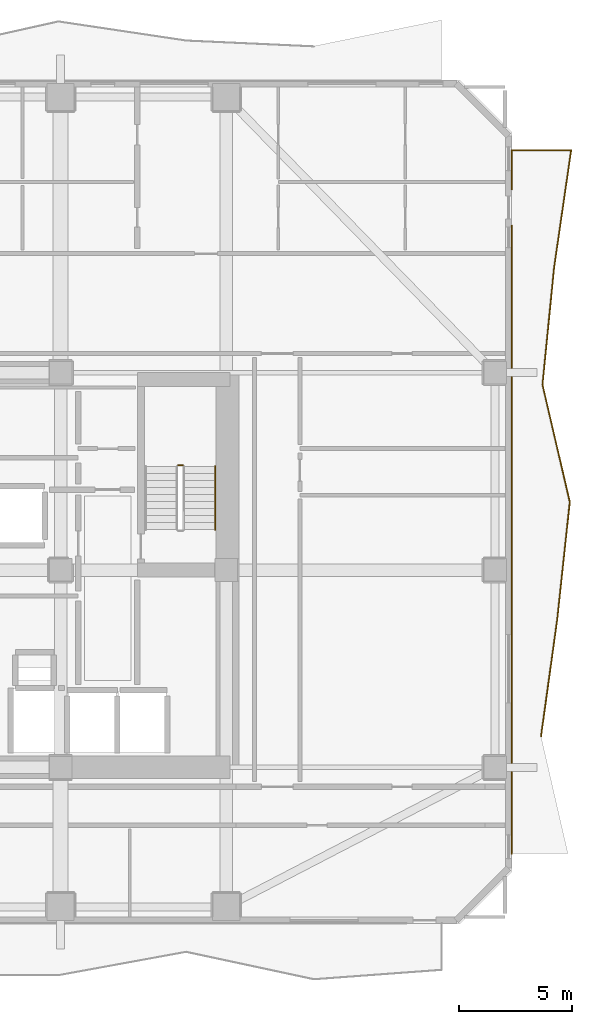
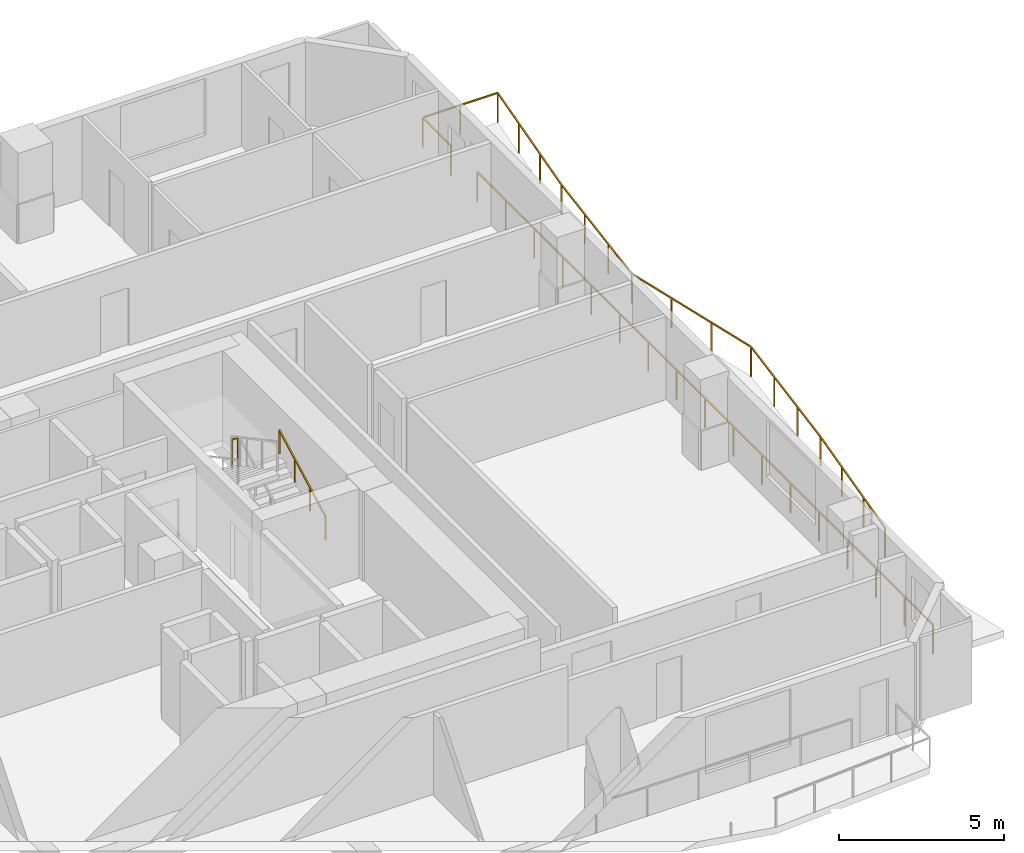
# One storey, part 10 of 11: 4 railings.
"""IFC4 building model written with IfcOpenShell, lengths in metres."""

import ifcopenshell
import ifcopenshell.guid

model = None  # the IFC model being written
_history = None  # IfcOwnerHistory: only IFC2X3 demands one
_inside = {}  # id of a spatial element -> (the spatial element, [elements in it])
_under = {}  # id of a project, library or spatial element -> (it, [spatial elements below it])
_declared = {}  # id of a project -> (the project, [libraries it declares])
_typed = {}  # id of a type object -> (the type object, [elements of that type])
_made_of = {}  # id of a material, layer set ... -> (it, [elements and type objects made of it])


def new_model(schema):
    """Start an empty IFC model of exactly this schema.

    Asked for "IFC4X3", IfcOpenShell would pick the latest addendum, in which some entities
    have other attributes; the version numbers below select the first issue.
    IFC2X3 requires an IfcOwnerHistory on every rooted entity: one is made here for all.
    """
    global model, _history
    if schema == "IFC4X3":
        model = ifcopenshell.file(schema_version=(4, 3, 0, 0))
    else:
        model = ifcopenshell.file(schema=schema)
    _inside.clear()
    _under.clear()
    _declared.clear()
    _typed.clear()
    _made_of.clear()
    _history = None
    if model.schema == "IFC2X3":
        org = make("IfcOrganization", Name="unknown")
        user = make(
            "IfcPersonAndOrganization",
            ThePerson=make("IfcPerson", FamilyName="unknown"),
            TheOrganization=org,
        )
        app = make(
            "IfcApplication",
            ApplicationDeveloper=org,
            Version="unknown",
            ApplicationFullName="unknown",
            ApplicationIdentifier="unknown",
        )
        _history = make(
            "IfcOwnerHistory",
            OwningUser=user,
            OwningApplication=app,
            ChangeAction="ADDED",
            CreationDate=0,
        )
    return model


def make(cls, **values):
    """One entity of the class cls with the attributes given. An attribute that is None is left unset."""
    return model.create_entity(
        cls, **{name: value for name, value in values.items() if value is not None}
    )


def rooted(cls, **values):
    """An entity with a GlobalId (a new one), such as an element, a storey or a relation."""
    return make(cls, GlobalId=ifcopenshell.guid.new(), OwnerHistory=_history, **values)


def si_unit(unit_type, name, prefix=None):
    """IfcSIUnit, for example si_unit("LENGTHUNIT", "METRE", prefix="MILLI")."""
    return make("IfcSIUnit", UnitType=unit_type, Prefix=prefix, Name=name)


def assignment(units):
    """IfcUnitAssignment: the units of a project."""
    return None if units is None else make("IfcUnitAssignment", Units=units)


def point(xyz):
    """IfcCartesianPoint."""
    return None if xyz is None else make("IfcCartesianPoint", Coordinates=xyz)


def direction(xyz):
    """IfcDirection."""
    return None if xyz is None else make("IfcDirection", DirectionRatios=xyz)


def frame(location, z_axis=None, x_axis=None):
    """IfcAxis2Placement3D, a coordinate frame: its origin and axes. An axis left out is left unset."""
    return make(
        "IfcAxis2Placement3D",
        Location=point(location),
        Axis=direction(z_axis),
        RefDirection=direction(x_axis),
    )


def frame_2d(location, x_axis=None):
    """IfcAxis2Placement2D, a coordinate frame in the plane: its origin and x axis."""
    return make(
        "IfcAxis2Placement2D", Location=point(location), RefDirection=direction(x_axis)
    )


def origin():
    """The frame at (0, 0, 0) with its axes left unset."""
    return frame((0.0, 0.0, 0.0))


def origin_2d():
    """The frame at (0, 0) in the plane with its x axis left unset."""
    return frame_2d((0.0, 0.0))


def place(relative_to, where):
    """IfcLocalPlacement: puts the frame where relative to a parent placement (None: the world)."""
    return make(
        "IfcLocalPlacement", PlacementRelTo=relative_to, RelativePlacement=where
    )


def context(
    kind, dimensions, precision=None, world=None, true_north=None, identifier=None
):
    """IfcGeometricRepresentationContext, for example the 3D "Model" context."""
    return make(
        "IfcGeometricRepresentationContext",
        ContextIdentifier=identifier,
        ContextType=kind,
        CoordinateSpaceDimension=dimensions,
        Precision=precision,
        WorldCoordinateSystem=world,
        TrueNorth=true_north,
    )


def subcontext(parent, identifier, kind, view, scale=None):
    """IfcGeometricRepresentationSubContext, for example "Body" below "Model"."""
    return make(
        "IfcGeometricRepresentationSubContext",
        ContextIdentifier=identifier,
        ContextType=kind,
        ParentContext=parent,
        TargetScale=scale,
        TargetView=view,
    )


def project(units=None, contexts=None):
    """IfcProject with its units and contexts."""
    return rooted(
        "IfcProject",
        Name="project",
        RepresentationContexts=contexts,
        UnitsInContext=assignment(units),
    )


def spatial(cls, under=None, at=None, **own):
    """A site, building, storey or space (cls), placed at a placement, below another one or the project."""
    s = rooted(cls, ObjectPlacement=at, **own)
    if under is not None:
        _under.setdefault(under.id(), (under, []))[1].append(s)
    return s


def profile(cls, at=None, kind="AREA", **sizes):
    """A parametric profile (cls). Its sizes go by their IFC names, for example OverallWidth=200.0."""
    return make(cls, ProfileType=kind, Position=at, **sizes)


def rectangle(**sizes):
    """IfcRectangleProfileDef."""
    return profile("IfcRectangleProfileDef", **sizes)


def extrude(swept, where, along, depth):
    """IfcExtrudedAreaSolid: the profile swept, set in the frame where, extruded along a direction by depth."""
    return make(
        "IfcExtrudedAreaSolid",
        SweptArea=swept,
        Position=where,
        ExtrudedDirection=direction(along),
        Depth=depth,
    )


def shape(context_of_items, identifier, shape_type, items):
    """IfcShapeRepresentation: the items that make up one representation, for example the "Body"."""
    return make(
        "IfcShapeRepresentation",
        ContextOfItems=context_of_items,
        RepresentationIdentifier=identifier,
        RepresentationType=shape_type,
        Items=items,
    )


def material(Name=None, Category=None):
    """IfcMaterial."""
    return make("IfcMaterial", Name=Name, Category=Category)


def made_of(thing, what):
    """Note that an element or type object is made of a material, layer set ...; save() writes the relation."""
    if what is not None:
        _made_of.setdefault(what.id(), (what, []))[1].append(thing)
    return thing


def type_object(cls, material=None, **own):
    """A type object (cls), such as IfcWallType, which elements share."""
    return made_of(rooted(cls, **own), material)


def element(
    cls,
    number,
    at=None,
    inside=None,
    cuts=None,
    type_object=None,
    material=None,
    context=None,
    identifier="Body",
    shape_type=None,
    held_by="IfcProductDefinitionShape",
    body=None,
    shapes=None,
    **own,
):
    """One element of the class cls, such as IfcWall. Its Tag is "e" and its number.

    at: its placement. inside: the storey or other place that contains it. cuts: it is an
    opening in that element (IfcRelVoidsElement). A single representation is given by context,
    identifier, shape_type and body (its items); several are given by shapes. held_by: the class
    of the entity that holds the representations. save() writes the other relations.
    """
    e = rooted(cls, Tag="e%d" % number, ObjectPlacement=at, **own)
    if body is not None:
        shapes = [shape(context, identifier, shape_type, body)]
    if shapes is not None:
        e.Representation = make(held_by, Representations=shapes)
    if inside is not None:
        _inside.setdefault(inside.id(), (inside, []))[1].append(e)
    if cuts is not None:
        rooted(
            "IfcRelVoidsElement", RelatingBuildingElement=cuts, RelatedOpeningElement=e
        )
    if type_object is not None:
        _typed.setdefault(type_object.id(), (type_object, []))[1].append(e)
    return made_of(e, material)


def aggregate(whole, parts):
    """IfcRelAggregates: a whole, such as a stair, and the parts it consists of."""
    return rooted("IfcRelAggregates", RelatingObject=whole, RelatedObjects=parts)


def save(model, path):
    """Write the relations noted so far, then the file.

    IfcRelAggregates (storeys below a building ...), IfcRelContainedInSpatialStructure (elements
    in a storey), IfcRelDefinesByType, IfcRelAssociatesMaterial and IfcRelDeclares: one each for
    every whole, place, type object, material and project.
    """
    for whole, parts in _under.values():
        aggregate(whole, parts)
    for where, things in _inside.values():
        rooted(
            "IfcRelContainedInSpatialStructure",
            RelatedElements=things,
            RelatingStructure=where,
        )
    for kind, things in _typed.values():
        rooted("IfcRelDefinesByType", RelatedObjects=things, RelatingType=kind)
    for what, things in _made_of.values():
        rooted("IfcRelAssociatesMaterial", RelatedObjects=things, RelatingMaterial=what)
    for by, libraries in _declared.values():
        rooted("IfcRelDeclares", RelatingContext=by, RelatedDefinitions=libraries)
    model.write(path)


model = new_model("IFC4")

# Units and contexts
model_context = context("Model", 3, precision=1e-05, world=origin(), true_north=direction((0.0, 1.0)))
body_context = subcontext(model_context, "Body", "Model", "MODEL_VIEW")
ifc_project = project(units=[si_unit("LENGTHUNIT", "METRE"), si_unit("AREAUNIT", "SQUARE_METRE"), si_unit("VOLUMEUNIT", "CUBIC_METRE"), si_unit("PLANEANGLEUNIT", "RADIAN"), si_unit("MASSUNIT", "GRAM", prefix="KILO")], contexts=[model_context])

# Site, building, storey
site_placement = place(None, origin())
site = spatial("IfcSite", under=ifc_project, at=site_placement, CompositionType="ELEMENT")
building_placement = place(site_placement, origin())
building = spatial("IfcBuilding", under=site, at=building_placement, Name="Solanera Arch Residences", CompositionType="ELEMENT")
storey_placement = place(building_placement, frame((0.0, 0.0, 159.199951171875)))
storey = spatial("IfcBuildingStorey", under=building, at=storey_placement, Name="L46", CompositionType="ELEMENT", Elevation=159.199951171875)

# Railings
ifc_material_1 = material(Name="Steel S355 (ASTM A992 / A572 Grade 50)", Category="steel")
railing_type_1 = type_object("IfcRailingType", Name="Balustrade Railing BL-1100", PredefinedType="BALUSTRADE", material=ifc_material_1)
railing_1_placement = place(storey_placement, frame((50.381103515625, 23.366943359375, 0.0)))
element("IfcRailing", 1, at=railing_1_placement, inside=storey, type_object=railing_type_1, Name="L46 E Balcony Balustrade 1", PredefinedType="BALUSTRADE", context=body_context, shape_type="SweptSolid", body=[
    extrude(rectangle(XDim=0.048095703125, YDim=0.048095703125, at=origin_2d()), frame((0.0, 0.0, 1.09619140625), z_axis=(0.137068259818, 0.99056160442, 0.0), x_axis=(-0.99056160442, 0.137068259818, 0.0)), (0.0, 0.0, 1.0), 5.21533203125),
    extrude(rectangle(XDim=0.048095703125, YDim=0.048095703125, at=origin_2d()), frame((0.71484375, 5.166015625, 1.09619140625), z_axis=(0.106599477138, 0.994302042376, 0.0), x_axis=(-0.994302042376, 0.106599477138, 0.0)), (0.0, 0.0, 1.0), 5.196533203125),
    extrude(rectangle(XDim=0.048095703125, YDim=0.048095703125, at=origin_2d()), frame((1.268798828125, 10.3330078125, 1.09619140625), z_axis=(-0.227087056895, 0.973874462439, 0.0), x_axis=(-0.973874462439, -0.227087056895, 0.0)), (0.0, 0.0, 1.0), 5.3056640625),
    extrude(rectangle(XDim=0.048095703125, YDim=0.048095703125, at=origin_2d()), frame((0.06396484375, 15.5, 1.09619140625), z_axis=(0.098618983175, 0.995125266566, 0.0), x_axis=(-0.995125266566, 0.098618983175, 0.0)), (0.0, 0.0, 1.0), 5.19140625),
    extrude(rectangle(XDim=0.048095703125, YDim=0.048095703125, at=origin_2d()), frame((0.575927734375, 20.666015625, 1.09619140625), z_axis=(0.144013107318, 0.989575780282, 0.0), x_axis=(-0.989575780282, 0.144013107318, 0.0)), (0.0, 0.0, 1.0), 5.221435546875),
    extrude(rectangle(XDim=0.048095703125, YDim=0.048095703125, at=origin_2d()), frame((1.327880859375, 25.8330078125, 1.09619140625), z_axis=(-1.0, 0.0, 0.0), x_axis=(0.0, -1.0, 0.0)), (0.0, 0.0, 1.0), 2.62890625),
    extrude(rectangle(XDim=0.048095703125, YDim=0.048095703125, at=origin_2d()), frame((-1.301025390625, 25.8330078125, 1.09619140625), z_axis=(0.0, -1.0, 0.0), x_axis=(1.0, 0.0, 0.0)), (0.0, 0.0, 1.0), 1.7138671875),
    extrude(rectangle(XDim=0.0419921875, YDim=0.0419921875, at=origin_2d()), origin(), (0.0, 0.0, 1.0), 1.072021484375),
    extrude(rectangle(XDim=0.0419921875, YDim=0.0419921875, at=origin_2d()), frame((0.23828125, 1.721923828125, 0.0)), (0.0, 0.0, 1.0), 1.072021484375),
    extrude(rectangle(XDim=0.0419921875, YDim=0.0419921875, at=origin_2d()), frame((0.4765625, 3.444091796875, 0.0)), (0.0, 0.0, 1.0), 1.072021484375),
    extrude(rectangle(XDim=0.0419921875, YDim=0.0419921875, at=origin_2d()), frame((0.71484375, 5.166015625, 0.0)), (0.0, 0.0, 1.0), 1.072021484375),
    extrude(rectangle(XDim=0.0419921875, YDim=0.0419921875, at=origin_2d()), frame((0.8994140625, 6.888427734375, 0.0)), (0.0, 0.0, 1.0), 1.072021484375),
    extrude(rectangle(XDim=0.0419921875, YDim=0.0419921875, at=origin_2d()), frame((1.084228515625, 8.610595703125, 0.0)), (0.0, 0.0, 1.0), 1.072021484375),
    extrude(rectangle(XDim=0.0419921875, YDim=0.0419921875, at=origin_2d()), frame((1.268798828125, 10.3330078125, 0.0)), (0.0, 0.0, 1.0), 1.072021484375),
    extrude(rectangle(XDim=0.0419921875, YDim=0.0419921875, at=origin_2d()), frame((0.8671875, 12.055419921875, 0.0)), (0.0, 0.0, 1.0), 1.072021484375),
    extrude(rectangle(XDim=0.0419921875, YDim=0.0419921875, at=origin_2d()), frame((0.465576171875, 13.777587890625, 0.0)), (0.0, 0.0, 1.0), 1.072021484375),
    extrude(rectangle(XDim=0.0419921875, YDim=0.0419921875, at=origin_2d()), frame((0.06396484375, 15.5, 0.0)), (0.0, 0.0, 1.0), 1.072021484375),
    extrude(rectangle(XDim=0.0419921875, YDim=0.0419921875, at=origin_2d()), frame((0.234619140625, 17.221923828125, 0.0)), (0.0, 0.0, 1.0), 1.072021484375),
    extrude(rectangle(XDim=0.0419921875, YDim=0.0419921875, at=origin_2d()), frame((0.4052734375, 18.944091796875, 0.0)), (0.0, 0.0, 1.0), 1.072021484375),
    extrude(rectangle(XDim=0.0419921875, YDim=0.0419921875, at=origin_2d()), frame((0.575927734375, 20.666015625, 0.0)), (0.0, 0.0, 1.0), 1.072021484375),
    extrude(rectangle(XDim=0.0419921875, YDim=0.0419921875, at=origin_2d()), frame((0.82666015625, 22.388427734375, 0.0)), (0.0, 0.0, 1.0), 1.072021484375),
    extrude(rectangle(XDim=0.0419921875, YDim=0.0419921875, at=origin_2d()), frame((1.0771484375, 24.110595703125, 0.0)), (0.0, 0.0, 1.0), 1.072021484375),
    extrude(rectangle(XDim=0.0419921875, YDim=0.0419921875, at=origin_2d()), frame((1.327880859375, 25.8330078125, 0.0)), (0.0, 0.0, 1.0), 1.072021484375),
    extrude(rectangle(XDim=0.0419921875, YDim=0.0419921875, at=origin_2d()), frame((0.013427734375, 25.8330078125, 0.0)), (0.0, 0.0, 1.0), 1.072021484375),
    extrude(rectangle(XDim=0.0419921875, YDim=0.0419921875, at=origin_2d()), frame((-1.301025390625, 25.8330078125, 0.0)), (0.0, 0.0, 1.0), 1.072021484375),
    extrude(rectangle(XDim=0.0419921875, YDim=0.0419921875, at=origin_2d()), frame((-1.301025390625, 24.119140625, 0.0)), (0.0, 0.0, 1.0), 1.072021484375),
])
railing_2_placement = place(storey_placement, frame((49.080078125, 45.885986328125, 0.0)))
element("IfcRailing", 2, at=railing_2_placement, inside=storey, type_object=railing_type_1, Name="L46 E Balcony Balustrade 2", PredefinedType="BALUSTRADE", context=body_context, shape_type="SweptSolid", body=[
    extrude(rectangle(XDim=0.048095703125, YDim=0.048095703125, at=origin_2d()), frame((0.0, 0.0, 1.09619140625), z_axis=(0.0, -1.0, 0.0), x_axis=(1.0, 0.0, 0.0)), (0.0, 0.0, 1.0), 27.68603515625),
    extrude(rectangle(XDim=0.0419921875, YDim=0.0419921875, at=origin_2d()), origin(), (0.0, 0.0, 1.0), 1.072021484375),
    extrude(rectangle(XDim=0.0419921875, YDim=0.0419921875, at=origin_2d()), frame((0.0, -1.73046875, 0.0)), (0.0, 0.0, 1.0), 1.072021484375),
    extrude(rectangle(XDim=0.0419921875, YDim=0.0419921875, at=origin_2d()), frame((0.0, -3.460693359375, 0.0)), (0.0, 0.0, 1.0), 1.072021484375),
    extrude(rectangle(XDim=0.0419921875, YDim=0.0419921875, at=origin_2d()), frame((0.0, -5.191162109375, 0.0)), (0.0, 0.0, 1.0), 1.072021484375),
    extrude(rectangle(XDim=0.0419921875, YDim=0.0419921875, at=origin_2d()), frame((0.0, -6.92138671875, 0.0)), (0.0, 0.0, 1.0), 1.072021484375),
    extrude(rectangle(XDim=0.0419921875, YDim=0.0419921875, at=origin_2d()), frame((0.0, -8.65185546875, 0.0)), (0.0, 0.0, 1.0), 1.072021484375),
    extrude(rectangle(XDim=0.0419921875, YDim=0.0419921875, at=origin_2d()), frame((0.0, -10.38232421875, 0.0)), (0.0, 0.0, 1.0), 1.072021484375),
    extrude(rectangle(XDim=0.0419921875, YDim=0.0419921875, at=origin_2d()), frame((0.0, -12.112548828125, 0.0)), (0.0, 0.0, 1.0), 1.072021484375),
    extrude(rectangle(XDim=0.0419921875, YDim=0.0419921875, at=origin_2d()), frame((0.0, -13.843017578125, 0.0)), (0.0, 0.0, 1.0), 1.072021484375),
    extrude(rectangle(XDim=0.0419921875, YDim=0.0419921875, at=origin_2d()), frame((0.0, -15.573486328125, 0.0)), (0.0, 0.0, 1.0), 1.072021484375),
    extrude(rectangle(XDim=0.0419921875, YDim=0.0419921875, at=origin_2d()), frame((0.0, -17.3037109375, 0.0)), (0.0, 0.0, 1.0), 1.072021484375),
    extrude(rectangle(XDim=0.0419921875, YDim=0.0419921875, at=origin_2d()), frame((0.0, -19.0341796875, 0.0)), (0.0, 0.0, 1.0), 1.072021484375),
    extrude(rectangle(XDim=0.0419921875, YDim=0.0419921875, at=origin_2d()), frame((0.0, -20.7646484375, 0.0)), (0.0, 0.0, 1.0), 1.072021484375),
    extrude(rectangle(XDim=0.0419921875, YDim=0.0419921875, at=origin_2d()), frame((0.0, -22.494873046875, 0.0)), (0.0, 0.0, 1.0), 1.072021484375),
    extrude(rectangle(XDim=0.0419921875, YDim=0.0419921875, at=origin_2d()), frame((0.0, -24.225341796875, 0.0)), (0.0, 0.0, 1.0), 1.072021484375),
    extrude(rectangle(XDim=0.0419921875, YDim=0.0419921875, at=origin_2d()), frame((0.0, -25.95556640625, 0.0)), (0.0, 0.0, 1.0), 1.072021484375),
    extrude(rectangle(XDim=0.0419921875, YDim=0.0419921875, at=origin_2d()), frame((0.0, -27.68603515625, 0.0)), (0.0, 0.0, 1.0), 1.072021484375),
])
ifc_material_2 = material(Name="Steel S355 (ASTM A992 / A572 Grade 50)", Category="steel")
railing_type_2 = type_object("IfcRailingType", Name="Stair Guardrail GR-1100", PredefinedType="GUARDRAIL", material=ifc_material_2)
railing_3_placement = place(storey_placement, frame((34.580078125, 35.320068359375, 1.64501953125)))
element("IfcRailing", 3, at=railing_3_placement, inside=storey, type_object=railing_type_2, Name="L46 ST-T2 stair guard 2", PredefinedType="GUARDRAIL", context=body_context, shape_type="SweptSolid", body=[
    extrude(rectangle(XDim=0.048095703125, YDim=0.048095703125, at=origin_2d()), frame((0.0, 0.0, 1.076171875), z_axis=(-1.0, 0.0, 0.0), x_axis=(0.0, -1.0, 0.0)), (0.0, 0.0, 1.0), 0.2001953125),
    extrude(rectangle(XDim=0.0419921875, YDim=0.0419921875, at=origin_2d()), origin(), (0.0, 0.0, 1.0), 1.052001953125),
    extrude(rectangle(XDim=0.0419921875, YDim=0.0419921875, at=origin_2d()), frame((-0.2001953125, 0.0, 0.0)), (0.0, 0.0, 1.0), 1.052001953125),
])
ifc_material_3 = material(Name="Steel S355 (ASTM A992 / A572 Grade 50)", Category="steel")
railing_type_3 = type_object("IfcRailingType", Name="Stair Wall Handrail HR-920", PredefinedType="HANDRAIL", material=ifc_material_3)
railing_4_placement = place(storey_placement, frame((36.010009765625, 32.47998046875, 0.166015625)))
element("IfcRailing", 4, at=railing_4_placement, inside=storey, type_object=railing_type_3, Name="L46 ST-T2 stair handrail 1", PredefinedType="HANDRAIL", context=body_context, shape_type="SweptSolid", body=[
    extrude(rectangle(XDim=0.048095703125, YDim=0.048095703125, at=origin_2d()), frame((0.0, 0.0, 0.8759765625), z_axis=(0.0, 0.881548766853, 0.472092969298), x_axis=(-1.0, 0.0, 0.0)), (0.0, 0.0, 1.0), 3.1650390625),
    extrude(rectangle(XDim=0.0419921875, YDim=0.0419921875, at=origin_2d()), origin(), (0.0, 0.0, 1.0), 0.851806640625),
    extrude(rectangle(XDim=0.0419921875, YDim=0.0419921875, at=origin_2d()), frame((0.0, 0.929931640625, 0.498046875)), (0.0, 0.0, 1.0), 0.851806640625),
    extrude(rectangle(XDim=0.0419921875, YDim=0.0419921875, at=origin_2d()), frame((0.0, 1.860107421875, 0.99609375)), (0.0, 0.0, 1.0), 0.851806640625),
    extrude(rectangle(XDim=0.0419921875, YDim=0.0419921875, at=origin_2d()), frame((0.0, 2.7900390625, 1.494140625)), (0.0, 0.0, 1.0), 0.851806640625),
])

save(model, "model.ifc")
